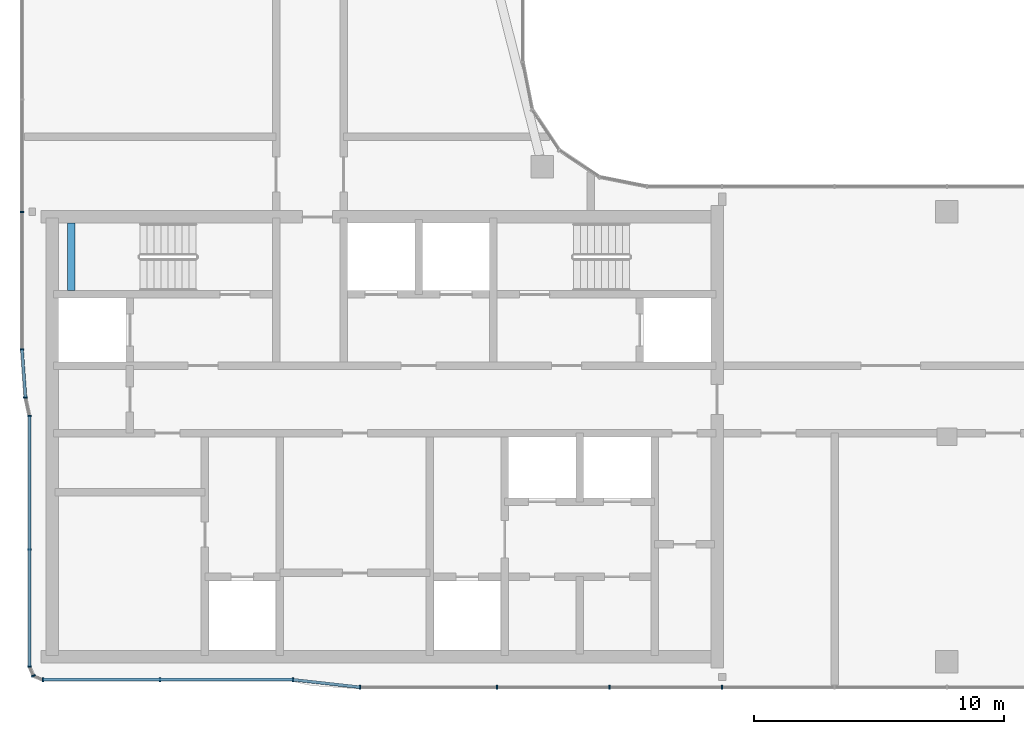
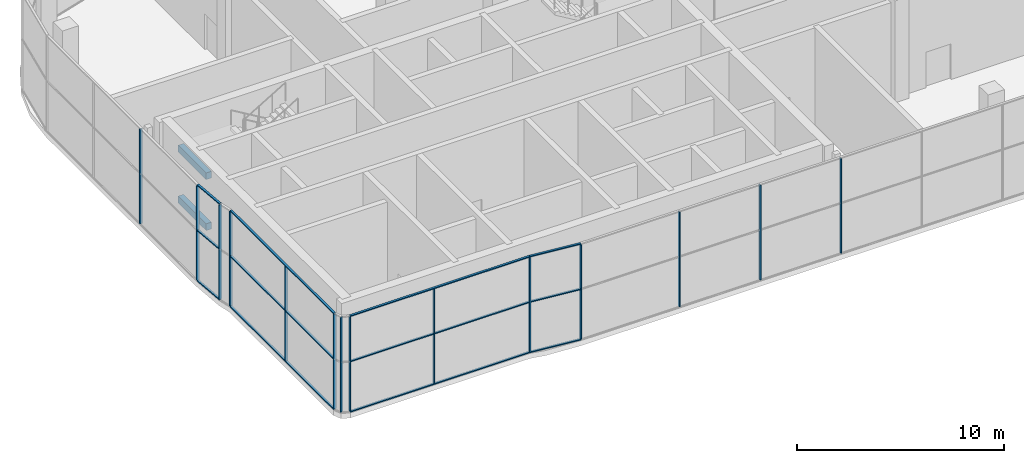
# One storey, part 2 of 21: 26 members, 2 beams, 7 elements without a shape of their own.
"""IFC4 building model written with IfcOpenShell, lengths in metres."""

from ifc_helpers import new_model, si_unit, direction, frame, origin, origin_2d, place, context, subcontext, project, spatial, rectangle, extrude, material, material_profile, profile_set, type_object, element, aggregate, save


model = new_model("IFC4")

# Units and contexts
model_context = context("Model", 3, precision=1e-05, world=origin(), true_north=direction((0.0, 1.0)))
body_context = subcontext(model_context, "Body", "Model", "MODEL_VIEW")
ifc_project = project(units=[si_unit("LENGTHUNIT", "METRE"), si_unit("AREAUNIT", "SQUARE_METRE"), si_unit("VOLUMEUNIT", "CUBIC_METRE"), si_unit("PLANEANGLEUNIT", "RADIAN"), si_unit("MASSUNIT", "GRAM", prefix="KILO")], contexts=[model_context])

# Site, building, storey
site_placement = place(None, origin())
site = spatial("IfcSite", under=ifc_project, at=site_placement, CompositionType="ELEMENT")
building_placement = place(site_placement, origin())
building = spatial("IfcBuilding", under=site, at=building_placement, Name="Ogive Portal Towers", CompositionType="ELEMENT")
storey_placement = place(building_placement, frame((0.0, 0.0, 266.89990234375)))
storey = spatial("IfcBuildingStorey", under=building, at=storey_placement, Name="L65", CompositionType="ELEMENT", Elevation=266.89990234375)

# Beams
ifc_material_1 = material(Name="Concrete C40/50", Category="concrete")
ifc_material_profile_1 = material_profile(ifc_material_1, rectangle(XDim=0.300048828125, YDim=0.39990234375, at=origin_2d()), Name="RC 300x400")
ifc_profile_set_1 = profile_set([ifc_material_profile_1], Name="Concrete C40/50")
beam_type = type_object("IfcBeamType", Name="BEAM RC 300x400", PredefinedType="BEAM", material=ifc_profile_set_1)
for number, where, z_axis, x_axis, name in (
    (1, (32.449951171875, 36.35009765625, 1.10009765625), (0.0, 1.0, 0.0), (-1.0, 0.0, 0.0), "Landing beam L65"),
    (2, (32.449951171875, 36.35009765625, 4.10009765625), (0.0, 1.0, 0.0), (-1.0, 0.0, 0.0), "Landing beam L65"),
):
    element("IfcBeam", number, at=place(storey_placement, frame(where, z_axis=z_axis, x_axis=x_axis)), inside=storey, type_object=beam_type, Name=name, PredefinedType="BEAM", context=body_context, shape_type="SweptSolid", body=[
        extrude(rectangle(XDim=0.300048828125, YDim=0.39990234375, at=origin_2d()), origin(), (0.0, 0.0, 1.0), 2.699951171875),
    ])

# Curtain wall, members
ifc_material_2 = material(Name="Glass, clear low-iron insulated glazing", Category="glass")
curtain_wall_type = type_object("IfcCurtainWallType", Name="CW OBSERVATION WALL", PredefinedType="NOTDEFINED", material=ifc_material_2)
curtain_wall_1_placement = place(storey_placement, origin())
curtain_wall_1 = element("IfcCurtainWall", 3, at=curtain_wall_1_placement, inside=storey, type_object=curtain_wall_type, Name="A:L65:f00:cw0", PredefinedType="NOTDEFINED")
ifc_material_3 = material(Name="Aluminium 6063 anodised", Category="aluminium")
ifc_material_profile_2 = material_profile(ifc_material_3, rectangle(XDim=0.159912109375, YDim=0.06005859375, at=origin_2d()), Name="AL 60x160")
ifc_profile_set_2 = profile_set([ifc_material_profile_2], Name="Aluminium 6063 anodised")
member_type_1 = type_object("IfcMemberType", Name="CW MULLION 60x160", PredefinedType="MULLION", material=ifc_profile_set_2)
member_1_placement = place(storey_placement, frame((30.780029296875, 31.330322265625, 0.06005859375), z_axis=(0.0, 0.0, 1.0), x_axis=(1.0, 0.0, 0.0)))
member_1 = element("IfcMember", 4, at=member_1_placement, type_object=member_type_1, Name="mullion", PredefinedType="MULLION", context=body_context, shape_type="SweptSolid", body=[
    extrude(rectangle(XDim=0.159912109375, YDim=0.06005859375, at=origin_2d()), origin(), (0.0, 0.0, 1.0), 5.580078125),
])
member_2_placement = place(storey_placement, frame((30.780029296875, 26.0, 0.06005859375), z_axis=(0.0, 0.0, 1.0), x_axis=(1.0, 0.0, 0.0)))
member_2 = element("IfcMember", 5, at=member_2_placement, type_object=member_type_1, Name="mullion", PredefinedType="MULLION", context=body_context, shape_type="SweptSolid", body=[
    extrude(rectangle(XDim=0.159912109375, YDim=0.06005859375, at=origin_2d()), origin(), (0.0, 0.0, 1.0), 5.580078125),
])
member_3_placement = place(storey_placement, frame((30.780029296875, 21.31591796875, 0.06005859375), z_axis=(0.0, 0.0, 1.0), x_axis=(1.0, 0.0, 0.0)))
member_3 = element("IfcMember", 6, at=member_3_placement, type_object=member_type_1, Name="mullion", PredefinedType="MULLION", context=body_context, shape_type="SweptSolid", body=[
    extrude(rectangle(XDim=0.159912109375, YDim=0.06005859375, at=origin_2d()), origin(), (0.0, 0.0, 1.0), 5.580078125),
])

curtain_wall_2_placement = place(storey_placement, origin())
curtain_wall_2 = element("IfcCurtainWall", 7, at=curtain_wall_2_placement, inside=storey, type_object=curtain_wall_type, Name="A:L65:f03:cw0", PredefinedType="NOTDEFINED")
member_4_placement = place(storey_placement, frame((31.31591796875, 20.780029296875, 0.06005859375), z_axis=(0.0, 0.0, 1.0), x_axis=(0.0, 1.0, 0.0)))
member_4 = element("IfcMember", 8, at=member_4_placement, type_object=member_type_1, Name="mullion", PredefinedType="MULLION", context=body_context, shape_type="SweptSolid", body=[
    extrude(rectangle(XDim=0.159912109375, YDim=0.06005859375, at=origin_2d()), origin(), (0.0, 0.0, 1.0), 5.580078125),
])
member_5_placement = place(storey_placement, frame((36.0, 20.780029296875, 0.06005859375), z_axis=(0.0, 0.0, 1.0), x_axis=(0.0, 1.0, 0.0)))
member_5 = element("IfcMember", 9, at=member_5_placement, type_object=member_type_1, Name="mullion", PredefinedType="MULLION", context=body_context, shape_type="SweptSolid", body=[
    extrude(rectangle(XDim=0.159912109375, YDim=0.06005859375, at=origin_2d()), origin(), (0.0, 0.0, 1.0), 5.580078125),
])
member_6_placement = place(storey_placement, frame((41.326171875, 20.780029296875, 0.06005859375), z_axis=(0.0, 0.0, 1.0), x_axis=(0.0, 1.0, 0.0)))
member_6 = element("IfcMember", 10, at=member_6_placement, type_object=member_type_1, Name="mullion", PredefinedType="MULLION", context=body_context, shape_type="SweptSolid", body=[
    extrude(rectangle(XDim=0.159912109375, YDim=0.06005859375, at=origin_2d()), origin(), (0.0, 0.0, 1.0), 5.580078125),
])

curtain_wall_3_placement = place(storey_placement, origin())
curtain_wall_3 = element("IfcCurtainWall", 11, at=curtain_wall_3_placement, inside=storey, type_object=curtain_wall_type, Name="A:L65:f05:cw0", PredefinedType="NOTDEFINED")
member_7_placement = place(storey_placement, frame((44.00439453125, 20.47998046875, 0.06005859375), z_axis=(0.0, 0.0, 1.0), x_axis=(0.0, 1.0, 0.0)))
member_7 = element("IfcMember", 12, at=member_7_placement, type_object=member_type_1, Name="mullion", PredefinedType="MULLION", context=body_context, shape_type="SweptSolid", body=[
    extrude(rectangle(XDim=0.159912109375, YDim=0.06005859375, at=origin_2d()), origin(), (0.0, 0.0, 1.0), 5.580078125),
])
member_8_placement = place(storey_placement, frame((49.5, 20.47998046875, 0.06005859375), z_axis=(0.0, 0.0, 1.0), x_axis=(0.0, 1.0, 0.0)))
member_8 = element("IfcMember", 13, at=member_8_placement, type_object=member_type_1, Name="mullion", PredefinedType="MULLION", context=body_context, shape_type="SweptSolid", body=[
    extrude(rectangle(XDim=0.159912109375, YDim=0.06005859375, at=origin_2d()), origin(), (0.0, 0.0, 1.0), 5.580078125),
])
member_9_placement = place(storey_placement, frame((54.0, 20.47998046875, 0.06005859375), z_axis=(0.0, 0.0, 1.0), x_axis=(0.0, 1.0, 0.0)))
member_9 = element("IfcMember", 14, at=member_9_placement, type_object=member_type_1, Name="mullion", PredefinedType="MULLION", context=body_context, shape_type="SweptSolid", body=[
    extrude(rectangle(XDim=0.159912109375, YDim=0.06005859375, at=origin_2d()), origin(), (0.0, 0.0, 1.0), 5.580078125),
])
member_10_placement = place(storey_placement, frame((58.5, 20.47998046875, 0.06005859375), z_axis=(0.0, 0.0, 1.0), x_axis=(0.0, 1.0, 0.0)))
member_10 = element("IfcMember", 15, at=member_10_placement, type_object=member_type_1, Name="mullion", PredefinedType="MULLION", context=body_context, shape_type="SweptSolid", body=[
    extrude(rectangle(XDim=0.159912109375, YDim=0.06005859375, at=origin_2d()), origin(), (0.0, 0.0, 1.0), 5.580078125),
])
aggregate(curtain_wall_3, [member_7, member_8, member_9, member_10])

curtain_wall_4_placement = place(storey_placement, origin())
curtain_wall_4 = element("IfcCurtainWall", 16, at=curtain_wall_4_placement, inside=storey, type_object=curtain_wall_type, Name="A:L65:f23:cw0", PredefinedType="NOTDEFINED")
member_11_placement = place(storey_placement, frame((30.47998046875, 39.5, 0.06005859375), z_axis=(0.0, 0.0, 1.0), x_axis=(1.0, 0.0, 0.0)))
member_11 = element("IfcMember", 17, at=member_11_placement, type_object=member_type_1, Name="mullion", PredefinedType="MULLION", context=body_context, shape_type="SweptSolid", body=[
    extrude(rectangle(XDim=0.159912109375, YDim=0.06005859375, at=origin_2d()), origin(), (0.0, 0.0, 1.0), 5.580078125),
])
member_12_placement = place(storey_placement, frame((30.47998046875, 34.0029296875, 0.06005859375), z_axis=(0.0, 0.0, 1.0), x_axis=(1.0, 0.0, 0.0)))
member_12 = element("IfcMember", 18, at=member_12_placement, type_object=member_type_1, Name="mullion", PredefinedType="MULLION", context=body_context, shape_type="SweptSolid", body=[
    extrude(rectangle(XDim=0.159912109375, YDim=0.06005859375, at=origin_2d()), origin(), (0.0, 0.0, 1.0), 5.580078125),
])
aggregate(curtain_wall_4, [member_11, member_12])

# Curtain wall, member
curtain_wall_5_placement = place(storey_placement, origin())
curtain_wall_5 = element("IfcCurtainWall", 19, at=curtain_wall_5_placement, inside=storey, type_object=curtain_wall_type, Name="A:L65:f01:cwa", PredefinedType="NOTDEFINED")
member_13_placement = place(storey_placement, frame((30.93701171875, 20.93701171875, 0.06005859375), z_axis=(0.0, 0.0, 1.0), x_axis=(0.923879532511, 0.382683432365, 0.0)))
member_13 = element("IfcMember", 20, at=member_13_placement, type_object=member_type_1, Name="mullion", PredefinedType="MULLION", context=body_context, shape_type="SweptSolid", body=[
    extrude(rectangle(XDim=0.159912109375, YDim=0.06005859375, at=origin_2d()), origin(), (0.0, 0.0, 1.0), 5.580078125),
])
aggregate(curtain_wall_5, [member_13])

curtain_wall_6_placement = place(storey_placement, origin())
curtain_wall_6 = element("IfcCurtainWall", 21, at=curtain_wall_6_placement, inside=storey, type_object=curtain_wall_type, Name="A:L65:f24:cwa", PredefinedType="NOTDEFINED")
member_14_placement = place(storey_placement, frame((30.617919921875, 32.075927734375, 0.06005859375), z_axis=(0.0, 0.0, 1.0), x_axis=(0.99745211461, 0.071339183201, 0.0)))
member_14 = element("IfcMember", 22, at=member_14_placement, type_object=member_type_1, Name="mullion", PredefinedType="MULLION", context=body_context, shape_type="SweptSolid", body=[
    extrude(rectangle(XDim=0.159912109375, YDim=0.06005859375, at=origin_2d()), origin(), (0.0, 0.0, 1.0), 5.580078125),
])

# Member
ifc_material_profile_3 = material_profile(ifc_material_3, rectangle(XDim=0.1201171875, YDim=0.06005859375, at=origin_2d()), Name="AL 120x60")
ifc_profile_set_3 = profile_set([ifc_material_profile_3], Name="Aluminium 6063 anodised")
member_type_2 = type_object("IfcMemberType", Name="CW TRANSOM 60x120", PredefinedType="USERDEFINED", material=ifc_profile_set_3)
member_15_placement = place(storey_placement, frame((30.780029296875, 31.330322265625, 0.030029296875), z_axis=(0.0, -1.0, 0.0), x_axis=(1.0, 0.0, 0.0)))
member_15 = element("IfcMember", 23, at=member_15_placement, type_object=member_type_2, Name="transom", ObjectType="TRANSOM", PredefinedType="USERDEFINED", context=body_context, shape_type="SweptSolid", body=[
    extrude(rectangle(XDim=0.1201171875, YDim=0.06005859375, at=origin_2d()), origin(), (0.0, 0.0, 1.0), 10.014404296875),
])

member_16_placement = place(storey_placement, frame((30.780029296875, 31.330322265625, 3.0), z_axis=(0.0, -1.0, 0.0), x_axis=(1.0, 0.0, 0.0)))
member_16 = element("IfcMember", 24, at=member_16_placement, type_object=member_type_2, Name="transom", ObjectType="TRANSOM", PredefinedType="USERDEFINED", context=body_context, shape_type="SweptSolid", body=[
    extrude(rectangle(XDim=0.1201171875, YDim=0.06005859375, at=origin_2d()), origin(), (0.0, 0.0, 1.0), 10.014404296875),
])

member_17_placement = place(storey_placement, frame((30.780029296875, 31.330322265625, 5.670166015625), z_axis=(0.0, -1.0, 0.0), x_axis=(1.0, 0.0, 0.0)))
member_17 = element("IfcMember", 25, at=member_17_placement, type_object=member_type_2, Name="transom", ObjectType="TRANSOM", PredefinedType="USERDEFINED", context=body_context, shape_type="SweptSolid", body=[
    extrude(rectangle(XDim=0.1201171875, YDim=0.06005859375, at=origin_2d()), origin(), (0.0, 0.0, 1.0), 10.014404296875),
])

aggregate(curtain_wall_1, [member_15, member_16, member_17, member_1, member_2, member_3])

member_18_placement = place(storey_placement, frame((31.31591796875, 20.780029296875, 0.030029296875), z_axis=(1.0, 0.0, 0.0), x_axis=(0.0, 1.0, 0.0)))
member_18 = element("IfcMember", 26, at=member_18_placement, type_object=member_type_2, Name="transom", ObjectType="TRANSOM", PredefinedType="USERDEFINED", context=body_context, shape_type="SweptSolid", body=[
    extrude(rectangle(XDim=0.1201171875, YDim=0.06005859375, at=origin_2d()), origin(), (0.0, 0.0, 1.0), 10.01025390625),
])

member_19_placement = place(storey_placement, frame((31.31591796875, 20.780029296875, 3.0), z_axis=(1.0, 0.0, 0.0), x_axis=(0.0, 1.0, 0.0)))
member_19 = element("IfcMember", 27, at=member_19_placement, type_object=member_type_2, Name="transom", ObjectType="TRANSOM", PredefinedType="USERDEFINED", context=body_context, shape_type="SweptSolid", body=[
    extrude(rectangle(XDim=0.1201171875, YDim=0.06005859375, at=origin_2d()), origin(), (0.0, 0.0, 1.0), 10.01025390625),
])

member_20_placement = place(storey_placement, frame((31.31591796875, 20.780029296875, 5.670166015625), z_axis=(1.0, 0.0, 0.0), x_axis=(0.0, 1.0, 0.0)))
member_20 = element("IfcMember", 28, at=member_20_placement, type_object=member_type_2, Name="transom", ObjectType="TRANSOM", PredefinedType="USERDEFINED", context=body_context, shape_type="SweptSolid", body=[
    extrude(rectangle(XDim=0.1201171875, YDim=0.06005859375, at=origin_2d()), origin(), (0.0, 0.0, 1.0), 10.01025390625),
])

aggregate(curtain_wall_2, [member_18, member_19, member_20, member_4, member_5, member_6])

# Curtain wall, members
curtain_wall_7_placement = place(storey_placement, origin())
curtain_wall_7 = element("IfcCurtainWall", 29, at=curtain_wall_7_placement, inside=storey, type_object=curtain_wall_type, Name="A:L65:f04:cwa", PredefinedType="NOTDEFINED")
member_21_placement = place(storey_placement, frame((41.326171875, 20.780029296875, 0.030029296875), z_axis=(0.993782788953, -0.111336285107, 0.0), x_axis=(0.111336285107, 0.993782788953, 0.0)))
member_21 = element("IfcMember", 30, at=member_21_placement, type_object=member_type_2, Name="transom", ObjectType="TRANSOM", PredefinedType="USERDEFINED", context=body_context, shape_type="SweptSolid", body=[
    extrude(rectangle(XDim=0.1201171875, YDim=0.06005859375, at=origin_2d()), origin(), (0.0, 0.0, 1.0), 2.695068359375),
])
member_22_placement = place(storey_placement, frame((41.326171875, 20.780029296875, 3.0), z_axis=(0.993782788953, -0.111336285107, 0.0), x_axis=(0.111336285107, 0.993782788953, 0.0)))
member_22 = element("IfcMember", 31, at=member_22_placement, type_object=member_type_2, Name="transom", ObjectType="TRANSOM", PredefinedType="USERDEFINED", context=body_context, shape_type="SweptSolid", body=[
    extrude(rectangle(XDim=0.1201171875, YDim=0.06005859375, at=origin_2d()), origin(), (0.0, 0.0, 1.0), 2.695068359375),
])
member_23_placement = place(storey_placement, frame((41.326171875, 20.780029296875, 5.670166015625), z_axis=(0.993782788953, -0.111336285107, 0.0), x_axis=(0.111336285107, 0.993782788953, 0.0)))
member_23 = element("IfcMember", 32, at=member_23_placement, type_object=member_type_2, Name="transom", ObjectType="TRANSOM", PredefinedType="USERDEFINED", context=body_context, shape_type="SweptSolid", body=[
    extrude(rectangle(XDim=0.1201171875, YDim=0.06005859375, at=origin_2d()), origin(), (0.0, 0.0, 1.0), 2.695068359375),
])
aggregate(curtain_wall_7, [member_21, member_22, member_23])

# Member
member_24_placement = place(storey_placement, frame((30.47998046875, 34.0029296875, 0.030029296875), z_axis=(0.071399720943, -0.997447783019, 0.0), x_axis=(0.997447783019, 0.071399720943, 0.0)))
member_24 = element("IfcMember", 33, at=member_24_placement, type_object=member_type_2, Name="transom", ObjectType="TRANSOM", PredefinedType="USERDEFINED", context=body_context, shape_type="SweptSolid", body=[
    extrude(rectangle(XDim=0.1201171875, YDim=0.06005859375, at=origin_2d()), origin(), (0.0, 0.0, 1.0), 1.931884765625),
])

member_25_placement = place(storey_placement, frame((30.47998046875, 34.0029296875, 3.0), z_axis=(0.071399720943, -0.997447783019, 0.0), x_axis=(0.997447783019, 0.071399720943, 0.0)))
member_25 = element("IfcMember", 34, at=member_25_placement, type_object=member_type_2, Name="transom", ObjectType="TRANSOM", PredefinedType="USERDEFINED", context=body_context, shape_type="SweptSolid", body=[
    extrude(rectangle(XDim=0.1201171875, YDim=0.06005859375, at=origin_2d()), origin(), (0.0, 0.0, 1.0), 1.931884765625),
])

member_26_placement = place(storey_placement, frame((30.47998046875, 34.0029296875, 5.670166015625), z_axis=(0.071399720943, -0.997447783019, 0.0), x_axis=(0.997447783019, 0.071399720943, 0.0)))
member_26 = element("IfcMember", 35, at=member_26_placement, type_object=member_type_2, Name="transom", ObjectType="TRANSOM", PredefinedType="USERDEFINED", context=body_context, shape_type="SweptSolid", body=[
    extrude(rectangle(XDim=0.1201171875, YDim=0.06005859375, at=origin_2d()), origin(), (0.0, 0.0, 1.0), 1.931884765625),
])

aggregate(curtain_wall_6, [member_24, member_25, member_26, member_14])

save(model, "model.ifc")
